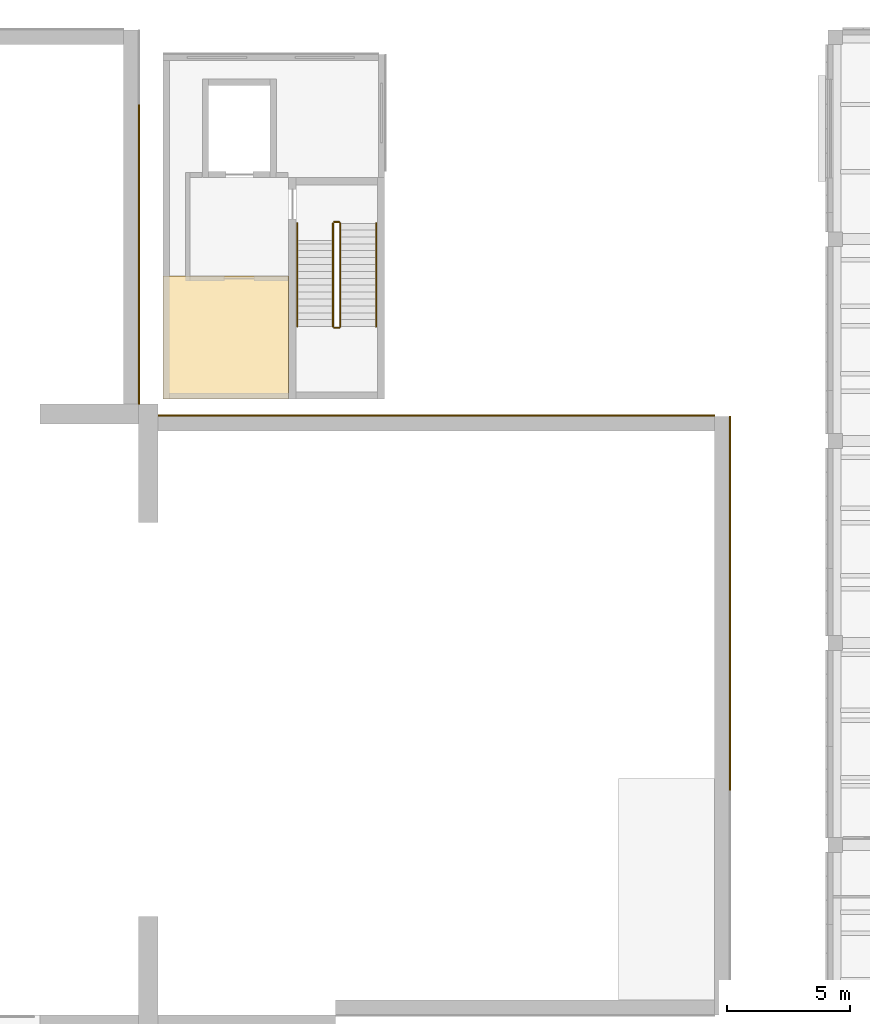
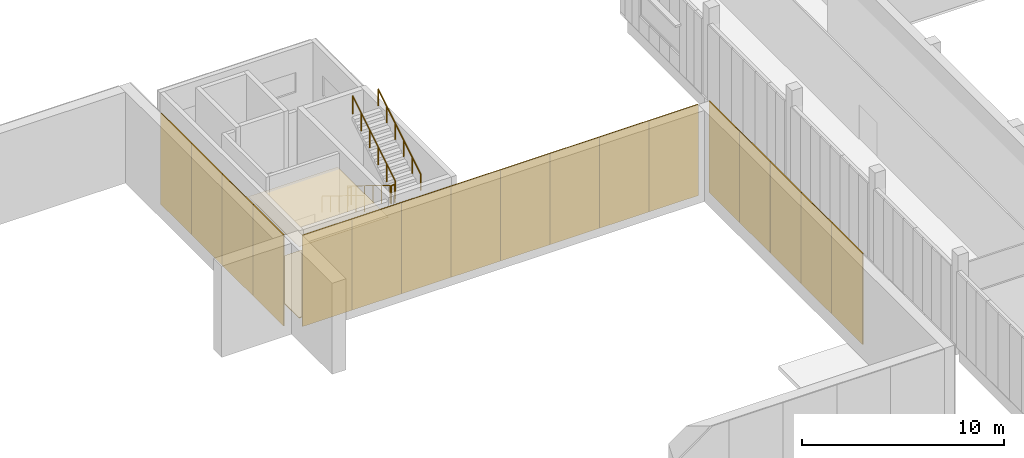
# One storey, part 98 of 112: 19 coverings, 6 railings.
"""IFC4 building model written with IfcOpenShell, lengths in metres."""

import ifcopenshell
import ifcopenshell.guid

model = None  # the IFC model being written
_history = None  # IfcOwnerHistory: only IFC2X3 demands one
_inside = {}  # id of a spatial element -> (the spatial element, [elements in it])
_under = {}  # id of a project, library or spatial element -> (it, [spatial elements below it])
_declared = {}  # id of a project -> (the project, [libraries it declares])
_typed = {}  # id of a type object -> (the type object, [elements of that type])
_made_of = {}  # id of a material, layer set ... -> (it, [elements and type objects made of it])


def new_model(schema):
    """Start an empty IFC model of exactly this schema.

    Asked for "IFC4X3", IfcOpenShell would pick the latest addendum, in which some entities
    have other attributes; the version numbers below select the first issue.
    IFC2X3 requires an IfcOwnerHistory on every rooted entity: one is made here for all.
    """
    global model, _history
    if schema == "IFC4X3":
        model = ifcopenshell.file(schema_version=(4, 3, 0, 0))
    else:
        model = ifcopenshell.file(schema=schema)
    _inside.clear()
    _under.clear()
    _declared.clear()
    _typed.clear()
    _made_of.clear()
    _history = None
    if model.schema == "IFC2X3":
        org = make("IfcOrganization", Name="unknown")
        user = make(
            "IfcPersonAndOrganization",
            ThePerson=make("IfcPerson", FamilyName="unknown"),
            TheOrganization=org,
        )
        app = make(
            "IfcApplication",
            ApplicationDeveloper=org,
            Version="unknown",
            ApplicationFullName="unknown",
            ApplicationIdentifier="unknown",
        )
        _history = make(
            "IfcOwnerHistory",
            OwningUser=user,
            OwningApplication=app,
            ChangeAction="ADDED",
            CreationDate=0,
        )
    return model


def make(cls, **values):
    """One entity of the class cls with the attributes given. An attribute that is None is left unset."""
    return model.create_entity(
        cls, **{name: value for name, value in values.items() if value is not None}
    )


def rooted(cls, **values):
    """An entity with a GlobalId (a new one), such as an element, a storey or a relation."""
    return make(cls, GlobalId=ifcopenshell.guid.new(), OwnerHistory=_history, **values)


def si_unit(unit_type, name, prefix=None):
    """IfcSIUnit, for example si_unit("LENGTHUNIT", "METRE", prefix="MILLI")."""
    return make("IfcSIUnit", UnitType=unit_type, Prefix=prefix, Name=name)


def assignment(units):
    """IfcUnitAssignment: the units of a project."""
    return None if units is None else make("IfcUnitAssignment", Units=units)


def point(xyz):
    """IfcCartesianPoint."""
    return None if xyz is None else make("IfcCartesianPoint", Coordinates=xyz)


def direction(xyz):
    """IfcDirection."""
    return None if xyz is None else make("IfcDirection", DirectionRatios=xyz)


def frame(location, z_axis=None, x_axis=None):
    """IfcAxis2Placement3D, a coordinate frame: its origin and axes. An axis left out is left unset."""
    return make(
        "IfcAxis2Placement3D",
        Location=point(location),
        Axis=direction(z_axis),
        RefDirection=direction(x_axis),
    )


def frame_2d(location, x_axis=None):
    """IfcAxis2Placement2D, a coordinate frame in the plane: its origin and x axis."""
    return make(
        "IfcAxis2Placement2D", Location=point(location), RefDirection=direction(x_axis)
    )


def origin():
    """The frame at (0, 0, 0) with its axes left unset."""
    return frame((0.0, 0.0, 0.0))


def origin_2d():
    """The frame at (0, 0) in the plane with its x axis left unset."""
    return frame_2d((0.0, 0.0))


def place(relative_to, where):
    """IfcLocalPlacement: puts the frame where relative to a parent placement (None: the world)."""
    return make(
        "IfcLocalPlacement", PlacementRelTo=relative_to, RelativePlacement=where
    )


def context(
    kind, dimensions, precision=None, world=None, true_north=None, identifier=None
):
    """IfcGeometricRepresentationContext, for example the 3D "Model" context."""
    return make(
        "IfcGeometricRepresentationContext",
        ContextIdentifier=identifier,
        ContextType=kind,
        CoordinateSpaceDimension=dimensions,
        Precision=precision,
        WorldCoordinateSystem=world,
        TrueNorth=true_north,
    )


def subcontext(parent, identifier, kind, view, scale=None):
    """IfcGeometricRepresentationSubContext, for example "Body" below "Model"."""
    return make(
        "IfcGeometricRepresentationSubContext",
        ContextIdentifier=identifier,
        ContextType=kind,
        ParentContext=parent,
        TargetScale=scale,
        TargetView=view,
    )


def project(units=None, contexts=None):
    """IfcProject with its units and contexts."""
    return rooted(
        "IfcProject",
        Name="project",
        RepresentationContexts=contexts,
        UnitsInContext=assignment(units),
    )


def spatial(cls, under=None, at=None, **own):
    """A site, building, storey or space (cls), placed at a placement, below another one or the project."""
    s = rooted(cls, ObjectPlacement=at, **own)
    if under is not None:
        _under.setdefault(under.id(), (under, []))[1].append(s)
    return s


def polyline(points):
    """IfcPolyline through the points."""
    return make("IfcPolyline", Points=[point(p) for p in points])


def profile(cls, at=None, kind="AREA", **sizes):
    """A parametric profile (cls). Its sizes go by their IFC names, for example OverallWidth=200.0."""
    return make(cls, ProfileType=kind, Position=at, **sizes)


def rectangle(**sizes):
    """IfcRectangleProfileDef."""
    return profile("IfcRectangleProfileDef", **sizes)


def circle(**sizes):
    """IfcCircleProfileDef."""
    return profile("IfcCircleProfileDef", **sizes)


def outline(outer, holes=None, kind="AREA"):
    """IfcArbitraryClosedProfileDef: a profile drawn as a closed curve; with holes, ...WithVoids."""
    if holes is None:
        return make("IfcArbitraryClosedProfileDef", ProfileType=kind, OuterCurve=outer)
    return make(
        "IfcArbitraryProfileDefWithVoids",
        ProfileType=kind,
        OuterCurve=outer,
        InnerCurves=holes,
    )


def extrude(swept, where, along, depth):
    """IfcExtrudedAreaSolid: the profile swept, set in the frame where, extruded along a direction by depth."""
    return make(
        "IfcExtrudedAreaSolid",
        SweptArea=swept,
        Position=where,
        ExtrudedDirection=direction(along),
        Depth=depth,
    )


def shape(context_of_items, identifier, shape_type, items):
    """IfcShapeRepresentation: the items that make up one representation, for example the "Body"."""
    return make(
        "IfcShapeRepresentation",
        ContextOfItems=context_of_items,
        RepresentationIdentifier=identifier,
        RepresentationType=shape_type,
        Items=items,
    )


def material(Name=None, Category=None):
    """IfcMaterial."""
    return make("IfcMaterial", Name=Name, Category=Category)


def layer(
    of_material, thickness, ventilated=None, Name=None, Category=None, Priority=None
):
    """IfcMaterialLayer: one layer of a wall or slab, of a material (None: an air gap)."""
    return make(
        "IfcMaterialLayer",
        Material=of_material,
        LayerThickness=thickness,
        IsVentilated=ventilated,
        Name=Name,
        Category=Category,
        Priority=Priority,
    )


def layer_set(layers, Name=None):
    """IfcMaterialLayerSet."""
    return make("IfcMaterialLayerSet", MaterialLayers=layers, LayerSetName=Name)


def made_of(thing, what):
    """Note that an element or type object is made of a material, layer set ...; save() writes the relation."""
    if what is not None:
        _made_of.setdefault(what.id(), (what, []))[1].append(thing)
    return thing


def type_object(cls, material=None, **own):
    """A type object (cls), such as IfcWallType, which elements share."""
    return made_of(rooted(cls, **own), material)


def element(
    cls,
    number,
    at=None,
    inside=None,
    cuts=None,
    type_object=None,
    material=None,
    context=None,
    identifier="Body",
    shape_type=None,
    held_by="IfcProductDefinitionShape",
    body=None,
    shapes=None,
    **own,
):
    """One element of the class cls, such as IfcWall. Its Tag is "e" and its number.

    at: its placement. inside: the storey or other place that contains it. cuts: it is an
    opening in that element (IfcRelVoidsElement). A single representation is given by context,
    identifier, shape_type and body (its items); several are given by shapes. held_by: the class
    of the entity that holds the representations. save() writes the other relations.
    """
    e = rooted(cls, Tag="e%d" % number, ObjectPlacement=at, **own)
    if body is not None:
        shapes = [shape(context, identifier, shape_type, body)]
    if shapes is not None:
        e.Representation = make(held_by, Representations=shapes)
    if inside is not None:
        _inside.setdefault(inside.id(), (inside, []))[1].append(e)
    if cuts is not None:
        rooted(
            "IfcRelVoidsElement", RelatingBuildingElement=cuts, RelatedOpeningElement=e
        )
    if type_object is not None:
        _typed.setdefault(type_object.id(), (type_object, []))[1].append(e)
    return made_of(e, material)


def aggregate(whole, parts):
    """IfcRelAggregates: a whole, such as a stair, and the parts it consists of."""
    return rooted("IfcRelAggregates", RelatingObject=whole, RelatedObjects=parts)


def save(model, path):
    """Write the relations noted so far, then the file.

    IfcRelAggregates (storeys below a building ...), IfcRelContainedInSpatialStructure (elements
    in a storey), IfcRelDefinesByType, IfcRelAssociatesMaterial and IfcRelDeclares: one each for
    every whole, place, type object, material and project.
    """
    for whole, parts in _under.values():
        aggregate(whole, parts)
    for where, things in _inside.values():
        rooted(
            "IfcRelContainedInSpatialStructure",
            RelatedElements=things,
            RelatingStructure=where,
        )
    for kind, things in _typed.values():
        rooted("IfcRelDefinesByType", RelatedObjects=things, RelatingType=kind)
    for what, things in _made_of.values():
        rooted("IfcRelAssociatesMaterial", RelatedObjects=things, RelatingMaterial=what)
    for by, libraries in _declared.values():
        rooted("IfcRelDeclares", RelatingContext=by, RelatedDefinitions=libraries)
    model.write(path)


model = new_model("IFC4")

# Units and contexts
model_context = context("Model", 3, precision=1e-05, world=origin(), true_north=direction((0.0, 1.0)))
body_context = subcontext(model_context, "Body", "Model", "MODEL_VIEW")
ifc_project = project(units=[si_unit("LENGTHUNIT", "METRE"), si_unit("AREAUNIT", "SQUARE_METRE"), si_unit("VOLUMEUNIT", "CUBIC_METRE"), si_unit("PLANEANGLEUNIT", "RADIAN"), si_unit("MASSUNIT", "GRAM", prefix="KILO")], contexts=[model_context])

# Site, building, storey
site_placement = place(None, origin())
site = spatial("IfcSite", under=ifc_project, at=site_placement, CompositionType="ELEMENT")
building_placement = place(site_placement, origin())
building = spatial("IfcBuilding", under=site, at=building_placement, Name="Lunette Opera House", CompositionType="ELEMENT")
storey_placement = place(building_placement, frame((0.0, 0.0, 6.0)))
storey = spatial("IfcBuildingStorey", under=building, at=storey_placement, Name="L01", CompositionType="ELEMENT", Elevation=6.0)

# Railings
ifc_material_1 = material(Name="Steel S355", Category="steel")
railing_type_1 = type_object("IfcRailingType", Name="STAIR GUARD 1100", PredefinedType="GUARDRAIL", material=ifc_material_1)
railing_1_placement = place(storey_placement, frame((115.89990234375, 128.14990234375, 0.171875)))
element("IfcRailing", 1, at=railing_1_placement, inside=storey, type_object=railing_type_1, Name="L01 ST12 stair guard 1", PredefinedType="GUARDRAIL", context=body_context, shape_type="SweptSolid", body=[
    extrude(circle(Radius=0.02392578125, at=origin_2d()), frame((0.0, 0.0, 1.076171875), z_axis=(0.0, -0.852242915053, 0.523146264196), x_axis=(1.0, 0.0, 0.0)), (0.0, 0.0, 1.0), 4.92822265625),
    extrude(circle(Radius=0.02099609375, at=origin_2d()), origin(), (0.0, 0.0, 1.0), 1.052001953125),
    extrude(circle(Radius=0.02099609375, at=origin_2d()), frame((0.0, -0.840087890625, 0.515625)), (0.0, 0.0, 1.0), 1.052001953125),
    extrude(circle(Radius=0.02099609375, at=origin_2d()), frame((0.0, -1.679931640625, 1.03125)), (0.0, 0.0, 1.0), 1.052001953125),
    extrude(circle(Radius=0.02099609375, at=origin_2d()), frame((0.0, -2.52001953125, 1.546875)), (0.0, 0.0, 1.0), 1.052001953125),
    extrude(circle(Radius=0.02099609375, at=origin_2d()), frame((0.0, -3.35986328125, 2.0625)), (0.0, 0.0, 1.0), 1.052001953125),
    extrude(circle(Radius=0.02099609375, at=origin_2d()), frame((0.0, -4.199951171875, 2.578125)), (0.0, 0.0, 1.0), 1.052001953125),
])
railing_2_placement = place(storey_placement, frame((115.949951171875, 123.89990234375, 2.75)))
element("IfcRailing", 2, at=railing_2_placement, inside=storey, type_object=railing_type_1, Name="L01 ST12 stair guard 2", PredefinedType="GUARDRAIL", context=body_context, shape_type="SweptSolid", body=[
    extrude(circle(Radius=0.02392578125, at=origin_2d()), frame((0.0, 0.0, 1.076171875), z_axis=(1.0, 0.0, 0.0), x_axis=(0.0, 1.0, 0.0)), (0.0, 0.0, 1.0), 0.199951171875),
    extrude(circle(Radius=0.02099609375, at=origin_2d()), origin(), (0.0, 0.0, 1.0), 1.052001953125),
    extrude(circle(Radius=0.02099609375, at=origin_2d()), frame((0.199951171875, 0.0, 0.0)), (0.0, 0.0, 1.0), 1.052001953125),
])
railing_3_placement = place(storey_placement, frame((116.199951171875, 123.949951171875, 2.921875)))
element("IfcRailing", 3, at=railing_3_placement, inside=storey, type_object=railing_type_1, Name="L01 ST12 stair guard 3", PredefinedType="GUARDRAIL", context=body_context, shape_type="SweptSolid", body=[
    extrude(circle(Radius=0.02392578125, at=origin_2d()), frame((0.0, 0.0, 1.076171875), z_axis=(0.0, 0.852242915053, 0.523146264196), x_axis=(-1.0, 0.0, 0.0)), (0.0, 0.0, 1.0), 4.92822265625),
    extrude(circle(Radius=0.02099609375, at=origin_2d()), origin(), (0.0, 0.0, 1.0), 1.052001953125),
    extrude(circle(Radius=0.02099609375, at=origin_2d()), frame((0.0, 0.840087890625, 0.515625)), (0.0, 0.0, 1.0), 1.052001953125),
    extrude(circle(Radius=0.02099609375, at=origin_2d()), frame((0.0, 1.679931640625, 1.03125)), (0.0, 0.0, 1.0), 1.052001953125),
    extrude(circle(Radius=0.02099609375, at=origin_2d()), frame((0.0, 2.52001953125, 1.546875)), (0.0, 0.0, 1.0), 1.052001953125),
    extrude(circle(Radius=0.02099609375, at=origin_2d()), frame((0.0, 3.35986328125, 2.0625)), (0.0, 0.0, 1.0), 1.052001953125),
    extrude(circle(Radius=0.02099609375, at=origin_2d()), frame((0.0, 4.199951171875, 2.578125)), (0.0, 0.0, 1.0), 1.052001953125),
])
railing_4_placement = place(storey_placement, frame((115.949951171875, 128.199951171875, 0.0)))
element("IfcRailing", 4, at=railing_4_placement, inside=storey, type_object=railing_type_1, Name="L01 ST12 stair guard 4", PredefinedType="GUARDRAIL", context=body_context, shape_type="SweptSolid", body=[
    extrude(circle(Radius=0.02392578125, at=origin_2d()), frame((0.0, 0.0, 1.076171875), z_axis=(1.0, 0.0, 0.0), x_axis=(0.0, 1.0, 0.0)), (0.0, 0.0, 1.0), 0.199951171875),
    extrude(circle(Radius=0.02099609375, at=origin_2d()), origin(), (0.0, 0.0, 1.0), 1.052001953125),
    extrude(circle(Radius=0.02099609375, at=origin_2d()), frame((0.199951171875, 0.0, 0.0)), (0.0, 0.0, 1.0), 1.052001953125),
])
ifc_material_2 = material(Name="Steel S355", Category="steel")
railing_type_2 = type_object("IfcRailingType", Name="STAIR HANDRAIL 1000", PredefinedType="HANDRAIL", material=ifc_material_2)
railing_5_placement = place(storey_placement, frame((114.449951171875, 128.14990234375, 0.171875)))
element("IfcRailing", 5, at=railing_5_placement, inside=storey, type_object=railing_type_2, Name="L01 ST12 stair handrail 1", PredefinedType="HANDRAIL", context=body_context, shape_type="SweptSolid", body=[
    extrude(circle(Radius=0.02392578125, at=origin_2d()), frame((0.0, 0.0, 0.97607421875), z_axis=(0.0, -0.852242915053, 0.523146264196), x_axis=(1.0, 0.0, 0.0)), (0.0, 0.0, 1.0), 4.92822265625),
    extrude(circle(Radius=0.02099609375, at=origin_2d()), origin(), (0.0, 0.0, 1.0), 0.951904296875),
    extrude(circle(Radius=0.02099609375, at=origin_2d()), frame((0.0, -0.840087890625, 0.515625)), (0.0, 0.0, 1.0), 0.951904296875),
    extrude(circle(Radius=0.02099609375, at=origin_2d()), frame((0.0, -1.679931640625, 1.03125)), (0.0, 0.0, 1.0), 0.951904296875),
    extrude(circle(Radius=0.02099609375, at=origin_2d()), frame((0.0, -2.52001953125, 1.546875)), (0.0, 0.0, 1.0), 0.951904296875),
    extrude(circle(Radius=0.02099609375, at=origin_2d()), frame((0.0, -3.35986328125, 2.0625)), (0.0, 0.0, 1.0), 0.951904296875),
    extrude(circle(Radius=0.02099609375, at=origin_2d()), frame((0.0, -4.199951171875, 2.578125)), (0.0, 0.0, 1.0), 0.951904296875),
])
railing_6_placement = place(storey_placement, frame((117.64990234375, 123.949951171875, 2.921875)))
element("IfcRailing", 6, at=railing_6_placement, inside=storey, type_object=railing_type_2, Name="L01 ST12 stair handrail 2", PredefinedType="HANDRAIL", context=body_context, shape_type="SweptSolid", body=[
    extrude(circle(Radius=0.02392578125, at=origin_2d()), frame((0.0, 0.0, 0.97607421875), z_axis=(0.0, 0.852242915053, 0.523146264196), x_axis=(-1.0, 0.0, 0.0)), (0.0, 0.0, 1.0), 4.92822265625),
    extrude(circle(Radius=0.02099609375, at=origin_2d()), origin(), (0.0, 0.0, 1.0), 0.951904296875),
    extrude(circle(Radius=0.02099609375, at=origin_2d()), frame((0.0, 0.840087890625, 0.515625)), (0.0, 0.0, 1.0), 0.951904296875),
    extrude(circle(Radius=0.02099609375, at=origin_2d()), frame((0.0, 1.679931640625, 1.03125)), (0.0, 0.0, 1.0), 0.951904296875),
    extrude(circle(Radius=0.02099609375, at=origin_2d()), frame((0.0, 2.52001953125, 1.546875)), (0.0, 0.0, 1.0), 0.951904296875),
    extrude(circle(Radius=0.02099609375, at=origin_2d()), frame((0.0, 3.35986328125, 2.0625)), (0.0, 0.0, 1.0), 0.951904296875),
    extrude(circle(Radius=0.02099609375, at=origin_2d()), frame((0.0, 4.199951171875, 2.578125)), (0.0, 0.0, 1.0), 0.951904296875),
])

# Coverings
ifc_material_3 = material(Name="Aluminium standing seam cladding", Category="aluminium")
ifc_layer_1 = layer(ifc_material_3, 0.06005859375)
ifc_layer_set_1 = layer_set([ifc_layer_1], Name="Aluminium standing seam cladding")
covering_type_1 = type_object("IfcCoveringType", Name="STANDING SEAM CLADDING 60", PredefinedType="CLADDING", material=ifc_layer_set_1)
for number, where, z_axis, x_axis, name in (
    (7, (132.030029296875, 106.631103515625, 0.0), (0.0, 0.0, 1.0), (0.0, 1.0, 0.0), "Standing seam cladding SE-E-1 L01 03"),
    (8, (132.030029296875, 109.6689453125, 0.0), (0.0, 0.0, 1.0), (0.0, 1.0, 0.0), "Standing seam cladding SE-E-1 L01 04"),
    (9, (132.030029296875, 112.7060546875, 0.0), (0.0, 0.0, 1.0), (0.0, 1.0, 0.0), "Standing seam cladding SE-E-1 L01 05"),
    (10, (132.030029296875, 115.743896484375, 0.0), (0.0, 0.0, 1.0), (0.0, 1.0, 0.0), "Standing seam cladding SE-E-1 L01 06"),
):
    element("IfcCovering", number, at=place(storey_placement, frame(where, z_axis=z_axis, x_axis=x_axis)), inside=storey, type_object=covering_type_1, Name=name, PredefinedType="CLADDING", context=body_context, shape_type="SweptSolid", body=[
        extrude(rectangle(XDim=3.037109375, YDim=0.06005859375, at=origin_2d()), origin(), (0.0, 0.0, 1.0), 5.5),
    ])
covering_1_placement = place(storey_placement, frame((132.030029296875, 118.781005859375, 0.0), z_axis=(0.0, 0.0, 1.0), x_axis=(0.0, 1.0, 0.0)))
element("IfcCovering", 11, at=covering_1_placement, inside=storey, type_object=covering_type_1, Name="Standing seam cladding SE-E-1 L01 07", PredefinedType="CLADDING", context=body_context, shape_type="SweptSolid", body=[
    extrude(rectangle(XDim=3.0380859375, YDim=0.06005859375, at=origin_2d()), origin(), (0.0, 0.0, 1.0), 5.5),
])
for number, where, z_axis, x_axis, name in (
    (12, (110.2119140625, 120.330078125, 0.0), (0.0, 0.0, 1.0), (1.0, 0.0, 0.0), "Standing seam cladding SE-N-1 L01 00"),
    (13, (113.037109375, 120.330078125, 0.0), (0.0, 0.0, 1.0), (1.0, 0.0, 0.0), "Standing seam cladding SE-N-1 L01 01"),
    (14, (115.862060546875, 120.330078125, 0.0), (0.0, 0.0, 1.0), (1.0, 0.0, 0.0), "Standing seam cladding SE-N-1 L01 02"),
    (15, (118.68798828125, 120.330078125, 0.0), (0.0, 0.0, 1.0), (1.0, 0.0, 0.0), "Standing seam cladding SE-N-1 L01 03"),
    (16, (121.512939453125, 120.330078125, 0.0), (0.0, 0.0, 1.0), (1.0, 0.0, 0.0), "Standing seam cladding SE-N-1 L01 04"),
    (17, (124.337890625, 120.330078125, 0.0), (0.0, 0.0, 1.0), (1.0, 0.0, 0.0), "Standing seam cladding SE-N-1 L01 05"),
    (18, (127.162109375, 120.330078125, 0.0), (0.0, 0.0, 1.0), (1.0, 0.0, 0.0), "Standing seam cladding SE-N-1 L01 06"),
    (19, (129.988037109375, 120.330078125, 0.0), (0.0, 0.0, 1.0), (1.0, 0.0, 0.0), "Standing seam cladding SE-N-1 L01 07"),
):
    element("IfcCovering", number, at=place(storey_placement, frame(where, z_axis=z_axis, x_axis=x_axis)), inside=storey, type_object=covering_type_1, Name=name, PredefinedType="CLADDING", context=body_context, shape_type="SweptSolid", body=[
        extrude(rectangle(XDim=2.824951171875, YDim=0.06005859375, at=origin_2d()), origin(), (0.0, 0.0, 1.0), 5.5),
    ])
for number, where, z_axis, x_axis, name in (
    (20, (108.030029296875, 122.320068359375, 0.0), (0.0, 0.0, 1.0), (0.0, 1.0, 0.0), "Standing seam cladding SR-E-1 L01 00"),
    (21, (108.030029296875, 125.360107421875, 0.0), (0.0, 0.0, 1.0), (0.0, 1.0, 0.0), "Standing seam cladding SR-E-1 L01 01"),
    (22, (108.030029296875, 128.39990234375, 0.0), (0.0, 0.0, 1.0), (0.0, 1.0, 0.0), "Standing seam cladding SR-E-1 L01 02"),
    (23, (108.030029296875, 131.43994140625, 0.0), (0.0, 0.0, 1.0), (0.0, 1.0, 0.0), "Standing seam cladding SR-E-1 L01 03"),
):
    element("IfcCovering", number, at=place(storey_placement, frame(where, z_axis=z_axis, x_axis=x_axis)), inside=storey, type_object=covering_type_1, Name=name, PredefinedType="CLADDING", context=body_context, shape_type="SweptSolid", body=[
        extrude(rectangle(XDim=3.0400390625, YDim=0.06005859375, at=origin_2d()), origin(), (0.0, 0.0, 1.0), 5.5),
    ])
ifc_material_4 = material(Name="Mineral fibre board")
ifc_layer_2 = layer(ifc_material_4, 0.014892578125)
ifc_layer_set_2 = layer_set([ifc_layer_2], Name="Mineral fibre board")
covering_type_2 = type_object("IfcCoveringType", Name="SUSPENDED ACOUSTIC CEILING 15", PredefinedType="CEILING", material=ifc_layer_set_2)
covering_2_placement = place(storey_placement, frame((0.0, 0.0, 4.31494140625)))
element("IfcCovering", 24, at=covering_2_placement, inside=storey, type_object=covering_type_2, Name="Ceiling Stage Wardrobe", PredefinedType="CEILING", context=body_context, shape_type="SweptSolid", body=[
    extrude(outline(polyline([(109.0, 126.0), (114.10009765625, 126.0), (114.10009765625, 121.0), (109.0, 121.0), (109.0, 126.0)])), origin(), (0.0, 0.0, 1.0), 0.01513671875),
])
ifc_material_5 = material(Name="Timber", Category="wood")
ifc_layer_3 = layer(ifc_material_5, 0.0400390625)
ifc_layer_set_3 = layer_set([ifc_layer_3], Name="Timber")
covering_type_3 = type_object("IfcCoveringType", Name="TIMBER FLOOR FINISH 40", PredefinedType="FLOORING", material=ifc_layer_set_3)
covering_3_placement = place(storey_placement, origin())
element("IfcCovering", 25, at=covering_3_placement, inside=storey, type_object=covering_type_3, Name="Floor finish Stage Wardrobe", PredefinedType="FLOORING", context=body_context, shape_type="SweptSolid", body=[
    extrude(outline(polyline([(109.0, 126.0), (114.10009765625, 126.0), (114.10009765625, 121.0), (109.0, 121.0), (109.0, 126.0)])), origin(), (0.0, 0.0, 1.0), 0.0400390625),
])

save(model, "model.ifc")
